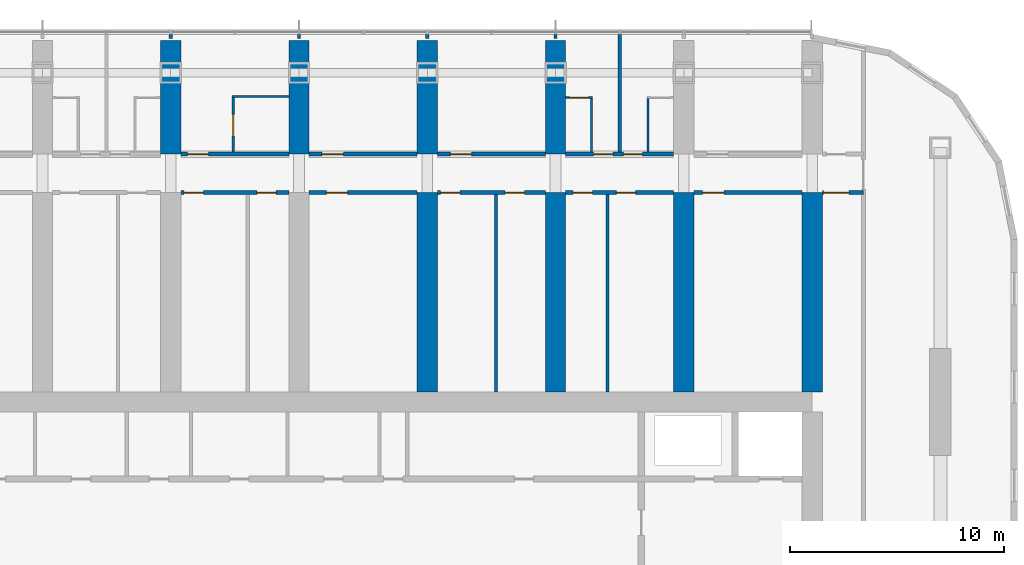
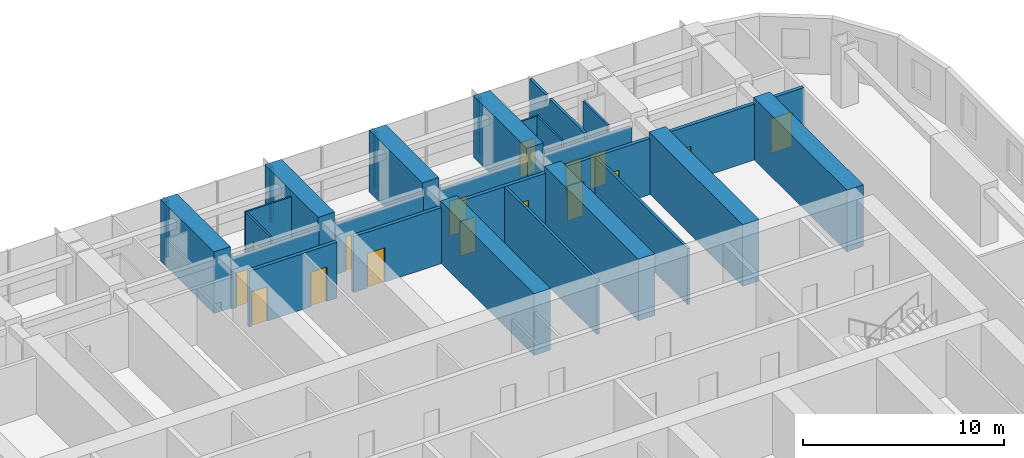
# One storey, part 14 of 20: 30 walls, 16 doors, 16 openings.
"""IFC4 building model written with IfcOpenShell, lengths in metres."""

from ifc_helpers import new_model, si_unit, direction, frame, frame_2d, origin, place, context, subcontext, project, spatial, polyline, rectangle, outline, extrude, material, layer, layer_set, type_object, element, fill, save


model = new_model("IFC4")

# Units and contexts
model_context = context("Model", 3, precision=1e-05, world=origin(), true_north=direction((0.0, 1.0)))
body_context = subcontext(model_context, "Body", "Model", "MODEL_VIEW")
ifc_project = project(units=[si_unit("LENGTHUNIT", "METRE"), si_unit("AREAUNIT", "SQUARE_METRE"), si_unit("VOLUMEUNIT", "CUBIC_METRE"), si_unit("PLANEANGLEUNIT", "RADIAN"), si_unit("MASSUNIT", "GRAM", prefix="KILO")], contexts=[model_context])

# Site, building, storey
site_placement = place(None, origin())
site = spatial("IfcSite", under=ifc_project, at=site_placement, CompositionType="ELEMENT")
building_placement = place(site_placement, origin())
building = spatial("IfcBuilding", under=site, at=building_placement, Name="Orbita Commons", CompositionType="ELEMENT")
storey_placement = place(building_placement, frame((0.0, 0.0, 129.39990234375)))
storey = spatial("IfcBuildingStorey", under=building, at=storey_placement, Name="L32", CompositionType="ELEMENT", Elevation=129.39990234375)

# Wall, opening, door
ifc_material_1 = material(Name="Concrete blockwork", Category="masonry")
ifc_layer_1 = layer(ifc_material_1, 0.199951171875)
ifc_layer_set_1 = layer_set([ifc_layer_1], Name="Concrete blockwork")
wall_type_1 = type_object("IfcWallType", Name="Corridor wall 200 blockwork", PredefinedType="SOLIDWALL", material=ifc_layer_set_1)
wall_1_placement = place(storey_placement, frame((36.47509765625, 49.800048828125, 0.0), z_axis=(0.0, 0.0, 1.0), x_axis=(1.0, 0.0, 0.0)))
wall_1 = element("IfcWall", 1, at=wall_1_placement, inside=storey, type_object=wall_type_1, Name="Corridor wall 200 blockwork L32", PredefinedType="SOLIDWALL", context=body_context, shape_type="SweptSolid", body=[
    extrude(outline(polyline([(0.0, 0.0), (5.0498046875, 0.0), (5.050048828125, 3.0), (0.0, 3.0), (0.0, 0.0)])), frame((0.0, 0.10009765625, 0.0), z_axis=(0.0, -1.0, 0.0), x_axis=(1.0, 0.0, 0.0)), (0.0, 0.0, 1.0), 0.199951171875),
])
opening_1_placement = place(wall_1_placement, frame((0.300048828125, 0.0, 0.0)))
opening_1 = element("IfcOpeningElement", 2, at=opening_1_placement, cuts=wall_1, Name="Opening D06", PredefinedType="OPENING", context=body_context, shape_type="SweptSolid", body=[
    extrude(rectangle(XDim=1.0, YDim=2.10009765625, at=frame_2d((0.5, 1.050048828125))), frame((0.0, 0.10986328125, 0.0), z_axis=(0.0, -1.0, 0.0), x_axis=(1.0, 0.0, 0.0)), (0.0, 0.0, 1.0), 0.219970703125),
])
ifc_material_2 = material(Name="Steel-faced fire door leaf", Category="steel")
door_type_1 = type_object("IfcDoorType", Name="Corridor door 20 min 1000x2100", OperationType="SINGLE_SWING_LEFT", PredefinedType="DOOR", material=ifc_material_2)
door_1_placement = place(opening_1_placement, origin())
door_1 = element("IfcDoor", 3, at=door_1_placement, inside=storey, type_object=door_type_1, Name="Accessible bedroom L32-N08 door", OperationType="SINGLE_SWING_LEFT", OverallHeight=2.10009765625, OverallWidth=1.0, PredefinedType="DOOR", context=body_context, shape_type="SweptSolid", body=[
    extrude(rectangle(XDim=1.0, YDim=2.10009765625, at=frame_2d((0.5, 1.050048828125))), frame((0.0, 0.02490234375, 0.0), z_axis=(0.0, -1.0, 0.0), x_axis=(1.0, 0.0, 0.0)), (0.0, 0.0, 1.0), 0.050048828125),
])
fill(opening_1, door_1)

wall_2_placement = place(storey_placement, frame((42.47509765625, 49.800048828125, 0.0), z_axis=(0.0, 0.0, 1.0), x_axis=(1.0, 0.0, 0.0)))
wall_2 = element("IfcWall", 4, at=wall_2_placement, inside=storey, type_object=wall_type_1, Name="Corridor wall 200 blockwork L32", PredefinedType="SOLIDWALL", context=body_context, shape_type="SweptSolid", body=[
    extrude(outline(polyline([(0.0, 0.0), (5.0498046875, 0.0), (5.050048828125, 3.0), (0.0, 3.0), (0.0, 0.0)])), frame((0.0, 0.10009765625, 0.0), z_axis=(0.0, -1.0, 0.0), x_axis=(1.0, 0.0, 0.0)), (0.0, 0.0, 1.0), 0.199951171875),
])
opening_2_placement = place(wall_2_placement, frame((0.60009765625, 0.0, 0.0)))
opening_2 = element("IfcOpeningElement", 5, at=opening_2_placement, cuts=wall_2, Name="Opening D06", PredefinedType="OPENING", context=body_context, shape_type="SweptSolid", body=[
    extrude(rectangle(XDim=1.0, YDim=2.10009765625, at=frame_2d((0.5, 1.050048828125))), frame((0.0, 0.10986328125, 0.0), z_axis=(0.0, -1.0, 0.0), x_axis=(1.0, 0.0, 0.0)), (0.0, 0.0, 1.0), 0.219970703125),
])
door_2_placement = place(opening_2_placement, origin())
door_2 = element("IfcDoor", 6, at=door_2_placement, inside=storey, type_object=door_type_1, Name="Sea-view lounge L32-N10 door", OperationType="SINGLE_SWING_LEFT", OverallHeight=2.10009765625, OverallWidth=1.0, PredefinedType="DOOR", context=body_context, shape_type="SweptSolid", body=[
    extrude(rectangle(XDim=1.0, YDim=2.10009765625, at=frame_2d((0.5, 1.050048828125))), frame((0.0, 0.02490234375, 0.0), z_axis=(0.0, -1.0, 0.0), x_axis=(1.0, 0.0, 0.0)), (0.0, 0.0, 1.0), 0.050048828125),
])
fill(opening_2, door_2)

wall_3_placement = place(storey_placement, frame((48.47509765625, 49.800048828125, 0.0), z_axis=(0.0, 0.0, 1.0), x_axis=(1.0, 0.0, 0.0)))
wall_3 = element("IfcWall", 7, at=wall_3_placement, inside=storey, type_object=wall_type_1, Name="Corridor wall 200 blockwork L32", PredefinedType="SOLIDWALL", context=body_context, shape_type="SweptSolid", body=[
    extrude(outline(polyline([(0.0, 0.0), (5.0498046875, 0.0), (5.050048828125, 3.0), (0.0, 3.0), (0.0, 0.0)])), frame((0.0, 0.10009765625, 0.0), z_axis=(0.0, -1.0, 0.0), x_axis=(1.0, 0.0, 0.0)), (0.0, 0.0, 1.0), 0.199951171875),
])
opening_3_placement = place(wall_3_placement, frame((0.60009765625, 0.0, 0.0)))
opening_3 = element("IfcOpeningElement", 8, at=opening_3_placement, cuts=wall_3, Name="Opening D06", PredefinedType="OPENING", context=body_context, shape_type="SweptSolid", body=[
    extrude(rectangle(XDim=1.0, YDim=2.10009765625, at=frame_2d((0.5, 1.050048828125))), frame((0.0, 0.10986328125, 0.0), z_axis=(0.0, -1.0, 0.0), x_axis=(1.0, 0.0, 0.0)), (0.0, 0.0, 1.0), 0.219970703125),
])
door_3_placement = place(opening_3_placement, origin())
door_3 = element("IfcDoor", 9, at=door_3_placement, inside=storey, type_object=door_type_1, Name="Sea-view lounge L32-N12 door", OperationType="SINGLE_SWING_LEFT", OverallHeight=2.10009765625, OverallWidth=1.0, PredefinedType="DOOR", context=body_context, shape_type="SweptSolid", body=[
    extrude(rectangle(XDim=1.0, YDim=2.10009765625, at=frame_2d((0.5, 1.050048828125))), frame((0.0, 0.02490234375, 0.0), z_axis=(0.0, -1.0, 0.0), x_axis=(1.0, 0.0, 0.0)), (0.0, 0.0, 1.0), 0.050048828125),
])
fill(opening_3, door_3)

# Wall, openings, doors
wall_4_placement = place(storey_placement, frame((54.47509765625, 49.800048828125, 0.0), z_axis=(0.0, 0.0, 1.0), x_axis=(1.0, 0.0, 0.0)))
wall_4 = element("IfcWall", 10, at=wall_4_placement, inside=storey, type_object=wall_type_1, Name="Corridor wall 200 blockwork L32", PredefinedType="SOLIDWALL", context=body_context, shape_type="SweptSolid", body=[
    extrude(outline(polyline([(0.0, 0.0), (5.0498046875, 0.0), (5.050048828125, 3.0), (0.0, 3.0), (0.0, 0.0)])), frame((0.0, 0.10009765625, 0.0), z_axis=(0.0, -1.0, 0.0), x_axis=(1.0, 0.0, 0.0)), (0.0, 0.0, 1.0), 0.199951171875),
])
opening_4_placement = place(wall_4_placement, frame((1.300048828125, 0.0, 0.0)))
opening_4 = element("IfcOpeningElement", 11, at=opening_4_placement, cuts=wall_4, Name="Opening D11", PredefinedType="OPENING", context=body_context, shape_type="SweptSolid", body=[
    extrude(rectangle(XDim=0.89990234375, YDim=2.10009765625, at=frame_2d((0.449951171875, 1.050048828125))), frame((0.0, 0.10986328125, 0.0), z_axis=(0.0, -1.0, 0.0), x_axis=(1.0, 0.0, 0.0)), (0.0, 0.0, 1.0), 0.219970703125),
])
opening_5_placement = place(wall_4_placement, frame((2.699951171875, 0.0, 0.0)))
opening_5 = element("IfcOpeningElement", 12, at=opening_5_placement, cuts=wall_4, Name="Opening D11", PredefinedType="OPENING", context=body_context, shape_type="SweptSolid", body=[
    extrude(rectangle(XDim=0.89990234375, YDim=2.10009765625, at=frame_2d((0.449951171875, 1.050048828125))), frame((0.0, 0.10986328125, 0.0), z_axis=(0.0, -1.0, 0.0), x_axis=(1.0, 0.0, 0.0)), (0.0, 0.0, 1.0), 0.219970703125),
])
ifc_material_3 = material(Name="Steel-faced fire door leaf", Category="steel")
door_type_2 = type_object("IfcDoorType", Name="Corridor door 20 min 900x2100", OperationType="SINGLE_SWING_LEFT", PredefinedType="DOOR", material=ifc_material_3)
door_4_placement = place(opening_4_placement, origin())
door_4 = element("IfcDoor", 13, at=door_4_placement, inside=storey, type_object=door_type_2, Name="Cluster bedroom L32-N14 door", OperationType="SINGLE_SWING_LEFT", OverallHeight=2.10009765625, OverallWidth=0.89990234375, PredefinedType="DOOR", context=body_context, shape_type="SweptSolid", body=[
    extrude(rectangle(XDim=0.89990234375, YDim=2.10009765625, at=frame_2d((0.449951171875, 1.050048828125))), frame((0.0, 0.02490234375, 0.0), z_axis=(0.0, -1.0, 0.0), x_axis=(1.0, 0.0, 0.0)), (0.0, 0.0, 1.0), 0.050048828125),
])
fill(opening_4, door_4)
door_5_placement = place(opening_5_placement, origin())
door_5 = element("IfcDoor", 14, at=door_5_placement, inside=storey, type_object=door_type_2, Name="Cluster bedroom L32-N15 door", OperationType="SINGLE_SWING_LEFT", OverallHeight=2.10009765625, OverallWidth=0.89990234375, PredefinedType="DOOR", context=body_context, shape_type="SweptSolid", body=[
    extrude(rectangle(XDim=0.89990234375, YDim=2.10009765625, at=frame_2d((0.449951171875, 1.050048828125))), frame((0.0, 0.02490234375, 0.0), z_axis=(0.0, -1.0, 0.0), x_axis=(1.0, 0.0, 0.0)), (0.0, 0.0, 1.0), 0.050048828125),
])
fill(opening_5, door_5)

ifc_material_4 = material(Name="Hollow concrete block 200", Category="concrete")
ifc_layer_2 = layer(ifc_material_4, 0.199951171875)
ifc_layer_set_2 = layer_set([ifc_layer_2], Name="Hollow concrete block 200")
wall_type_2 = type_object("IfcWallType", Name="Corridor wall 200 hollow concrete block", PredefinedType="SOLIDWALL", material=ifc_layer_set_2)
wall_5_placement = place(storey_placement, frame((36.47509765625, 48.0, 0.0), z_axis=(0.0, 0.0, 1.0), x_axis=(1.0, 0.0, 0.0)))
wall_5 = element("IfcWall", 15, at=wall_5_placement, inside=storey, type_object=wall_type_2, Name="Corridor wall 200 hollow concrete block L32", PredefinedType="SOLIDWALL", context=body_context, shape_type="SweptSolid", body=[
    extrude(rectangle(XDim=5.0498046875, YDim=0.199951171875, at=frame_2d((2.52490234375, 0.0))), origin(), (0.0, 0.0, 1.0), 3.400146484375),
])
opening_6_placement = place(wall_5_placement, frame((0.14990234375, 0.0, 0.0)))
opening_6 = element("IfcOpeningElement", 16, at=opening_6_placement, cuts=wall_5, Name="Opening D11", PredefinedType="OPENING", context=body_context, shape_type="SweptSolid", body=[
    extrude(rectangle(XDim=0.89990234375, YDim=2.10009765625, at=frame_2d((0.449951171875, 1.050048828125))), frame((0.0, 0.10986328125, 0.0), z_axis=(0.0, -1.0, 0.0), x_axis=(1.0, 0.0, 0.0)), (0.0, 0.0, 1.0), 0.219970703125),
])
opening_7_placement = place(wall_5_placement, frame((3.554931640625, 0.0, 0.0)))
opening_7 = element("IfcOpeningElement", 17, at=opening_7_placement, cuts=wall_5, Name="Opening D11", PredefinedType="OPENING", context=body_context, shape_type="SweptSolid", body=[
    extrude(rectangle(XDim=0.89990234375, YDim=2.10009765625, at=frame_2d((0.449951171875, 1.050048828125))), frame((0.0, 0.10986328125, 0.0), z_axis=(0.0, -1.0, 0.0), x_axis=(1.0, 0.0, 0.0)), (0.0, 0.0, 1.0), 0.219970703125),
])
door_6_placement = place(opening_6_placement, origin())
door_6 = element("IfcDoor", 18, at=door_6_placement, inside=storey, type_object=door_type_2, Name="Linen store L32-BDN36 door", OperationType="SINGLE_SWING_LEFT", OverallHeight=2.10009765625, OverallWidth=0.89990234375, PredefinedType="DOOR", context=body_context, shape_type="SweptSolid", body=[
    extrude(rectangle(XDim=0.89990234375, YDim=2.10009765625, at=frame_2d((0.449951171875, 1.050048828125))), frame((0.0, 0.02490234375, 0.0), z_axis=(0.0, -1.0, 0.0), x_axis=(1.0, 0.0, 0.0)), (0.0, 0.0, 1.0), 0.050048828125),
])
fill(opening_6, door_6)
door_7_placement = place(opening_7_placement, origin())
door_7 = element("IfcDoor", 19, at=door_7_placement, inside=storey, type_object=door_type_2, Name="Water heater cupboard L32-BDN36n door", OperationType="SINGLE_SWING_LEFT", OverallHeight=2.10009765625, OverallWidth=0.89990234375, PredefinedType="DOOR", context=body_context, shape_type="SweptSolid", body=[
    extrude(rectangle(XDim=0.89990234375, YDim=2.10009765625, at=frame_2d((0.449951171875, 1.050048828125))), frame((0.0, 0.02490234375, 0.0), z_axis=(0.0, -1.0, 0.0), x_axis=(1.0, 0.0, 0.0)), (0.0, 0.0, 1.0), 0.050048828125),
])
fill(opening_7, door_7)

# Wall, opening, door
wall_6_placement = place(storey_placement, frame((42.47509765625, 48.0, 0.0), z_axis=(0.0, 0.0, 1.0), x_axis=(1.0, 0.0, 0.0)))
wall_6 = element("IfcWall", 20, at=wall_6_placement, inside=storey, type_object=wall_type_2, Name="Corridor wall 200 hollow concrete block L32", PredefinedType="SOLIDWALL", context=body_context, shape_type="SweptSolid", body=[
    extrude(rectangle(XDim=5.0498046875, YDim=0.199951171875, at=frame_2d((2.52490234375, 0.0))), origin(), (0.0, 0.0, 1.0), 3.400146484375),
])
opening_8_placement = place(wall_6_placement, frame((0.800048828125, 0.0, 0.0)))
opening_8 = element("IfcOpeningElement", 21, at=opening_8_placement, cuts=wall_6, Name="Opening D06", PredefinedType="OPENING", context=body_context, shape_type="SweptSolid", body=[
    extrude(rectangle(XDim=1.0, YDim=2.10009765625, at=frame_2d((0.5, 1.050048828125))), frame((0.0, 0.10986328125, 0.0), z_axis=(0.0, -1.0, 0.0), x_axis=(1.0, 0.0, 0.0)), (0.0, 0.0, 1.0), 0.219970703125),
])
door_8_placement = place(opening_8_placement, origin())
door_8 = element("IfcDoor", 22, at=door_8_placement, inside=storey, type_object=door_type_1, Name="Refuse and recycling room L32-BDN42 door", OperationType="SINGLE_SWING_LEFT", OverallHeight=2.10009765625, OverallWidth=1.0, PredefinedType="DOOR", context=body_context, shape_type="SweptSolid", body=[
    extrude(rectangle(XDim=1.0, YDim=2.10009765625, at=frame_2d((0.5, 1.050048828125))), frame((0.0, 0.02490234375, 0.0), z_axis=(0.0, -1.0, 0.0), x_axis=(1.0, 0.0, 0.0)), (0.0, 0.0, 1.0), 0.050048828125),
])
fill(opening_8, door_8)

# Wall, openings, doors
wall_7_placement = place(storey_placement, frame((48.47509765625, 48.0, 0.0), z_axis=(0.0, 0.0, 1.0), x_axis=(1.0, 0.0, 0.0)))
wall_7 = element("IfcWall", 23, at=wall_7_placement, inside=storey, type_object=wall_type_2, Name="Corridor wall 200 hollow concrete block L32", PredefinedType="SOLIDWALL", context=body_context, shape_type="SweptSolid", body=[
    extrude(rectangle(XDim=5.0498046875, YDim=0.199951171875, at=frame_2d((2.52490234375, 0.0))), origin(), (0.0, 0.0, 1.0), 3.400146484375),
])
opening_9_placement = place(wall_7_placement, frame((0.14990234375, 0.0, 0.0)))
opening_9 = element("IfcOpeningElement", 24, at=opening_9_placement, cuts=wall_7, Name="Opening D11", PredefinedType="OPENING", context=body_context, shape_type="SweptSolid", body=[
    extrude(rectangle(XDim=0.89990234375, YDim=2.10009765625, at=frame_2d((0.449951171875, 1.050048828125))), frame((0.0, 0.10986328125, 0.0), z_axis=(0.0, -1.0, 0.0), x_axis=(1.0, 0.0, 0.0)), (0.0, 0.0, 1.0), 0.219970703125),
])
opening_10_placement = place(wall_7_placement, frame((3.1650390625, 0.0, 0.0)))
opening_10 = element("IfcOpeningElement", 25, at=opening_10_placement, cuts=wall_7, Name="Opening D11", PredefinedType="OPENING", context=body_context, shape_type="SweptSolid", body=[
    extrude(rectangle(XDim=0.89990234375, YDim=2.10009765625, at=frame_2d((0.449951171875, 1.050048828125))), frame((0.0, 0.10986328125, 0.0), z_axis=(0.0, -1.0, 0.0), x_axis=(1.0, 0.0, 0.0)), (0.0, 0.0, 1.0), 0.219970703125),
])
door_9_placement = place(opening_9_placement, origin())
door_9 = element("IfcDoor", 26, at=door_9_placement, inside=storey, type_object=door_type_2, Name="Bulk and luggage store L32-BDN48 door", OperationType="SINGLE_SWING_LEFT", OverallHeight=2.10009765625, OverallWidth=0.89990234375, PredefinedType="DOOR", context=body_context, shape_type="SweptSolid", body=[
    extrude(rectangle(XDim=0.89990234375, YDim=2.10009765625, at=frame_2d((0.449951171875, 1.050048828125))), frame((0.0, 0.02490234375, 0.0), z_axis=(0.0, -1.0, 0.0), x_axis=(1.0, 0.0, 0.0)), (0.0, 0.0, 1.0), 0.050048828125),
])
fill(opening_9, door_9)
door_10_placement = place(opening_10_placement, origin())
door_10 = element("IfcDoor", 27, at=door_10_placement, inside=storey, type_object=door_type_2, Name="Battery and UPS room L32-BDN48n door", OperationType="SINGLE_SWING_LEFT", OverallHeight=2.10009765625, OverallWidth=0.89990234375, PredefinedType="DOOR", context=body_context, shape_type="SweptSolid", body=[
    extrude(rectangle(XDim=0.89990234375, YDim=2.10009765625, at=frame_2d((0.449951171875, 1.050048828125))), frame((0.0, 0.02490234375, 0.0), z_axis=(0.0, -1.0, 0.0), x_axis=(1.0, 0.0, 0.0)), (0.0, 0.0, 1.0), 0.050048828125),
])
fill(opening_10, door_10)

wall_8_placement = place(storey_placement, frame((54.47509765625, 48.0, 0.0), z_axis=(0.0, 0.0, 1.0), x_axis=(1.0, 0.0, 0.0)))
wall_8 = element("IfcWall", 28, at=wall_8_placement, inside=storey, type_object=wall_type_2, Name="Corridor wall 200 hollow concrete block L32", PredefinedType="SOLIDWALL", context=body_context, shape_type="SweptSolid", body=[
    extrude(rectangle(XDim=5.0498046875, YDim=0.199951171875, at=frame_2d((2.52490234375, 0.0))), origin(), (0.0, 0.0, 1.0), 3.400146484375),
])
opening_11_placement = place(wall_8_placement, frame((0.35009765625, 0.0, 0.0)))
opening_11 = element("IfcOpeningElement", 29, at=opening_11_placement, cuts=wall_8, Name="Opening D11", PredefinedType="OPENING", context=body_context, shape_type="SweptSolid", body=[
    extrude(rectangle(XDim=0.89990234375, YDim=2.10009765625, at=frame_2d((0.449951171875, 1.050048828125))), frame((0.0, 0.10986328125, 0.0), z_axis=(0.0, -1.0, 0.0), x_axis=(1.0, 0.0, 0.0)), (0.0, 0.0, 1.0), 0.219970703125),
])
opening_12_placement = place(wall_8_placement, frame((2.375, 0.0, 0.0)))
opening_12 = element("IfcOpeningElement", 30, at=opening_12_placement, cuts=wall_8, Name="Opening D11", PredefinedType="OPENING", context=body_context, shape_type="SweptSolid", body=[
    extrude(rectangle(XDim=0.89990234375, YDim=2.10009765625, at=frame_2d((0.449951171875, 1.050048828125))), frame((0.0, 0.10986328125, 0.0), z_axis=(0.0, -1.0, 0.0), x_axis=(1.0, 0.0, 0.0)), (0.0, 0.0, 1.0), 0.219970703125),
])
door_11_placement = place(opening_11_placement, origin())
door_11 = element("IfcDoor", 31, at=door_11_placement, inside=storey, type_object=door_type_2, Name="Sprinkler valve room L32-BDN54n door", OperationType="SINGLE_SWING_LEFT", OverallHeight=2.10009765625, OverallWidth=0.89990234375, PredefinedType="DOOR", context=body_context, shape_type="SweptSolid", body=[
    extrude(rectangle(XDim=0.89990234375, YDim=2.10009765625, at=frame_2d((0.449951171875, 1.050048828125))), frame((0.0, 0.02490234375, 0.0), z_axis=(0.0, -1.0, 0.0), x_axis=(1.0, 0.0, 0.0)), (0.0, 0.0, 1.0), 0.050048828125),
])
fill(opening_11, door_11)
door_12_placement = place(opening_12_placement, origin())
door_12 = element("IfcDoor", 32, at=door_12_placement, inside=storey, type_object=door_type_2, Name="Cleaners store L32-BDN54 door", OperationType="SINGLE_SWING_LEFT", OverallHeight=2.10009765625, OverallWidth=0.89990234375, PredefinedType="DOOR", context=body_context, shape_type="SweptSolid", body=[
    extrude(rectangle(XDim=0.89990234375, YDim=2.10009765625, at=frame_2d((0.449951171875, 1.050048828125))), frame((0.0, 0.02490234375, 0.0), z_axis=(0.0, -1.0, 0.0), x_axis=(1.0, 0.0, 0.0)), (0.0, 0.0, 1.0), 0.050048828125),
])
fill(opening_12, door_12)

# Wall, opening, door
wall_9_placement = place(storey_placement, frame((60.47509765625, 48.0, 0.0), z_axis=(0.0, 0.0, 1.0), x_axis=(1.0, 0.0, 0.0)))
wall_9 = element("IfcWall", 33, at=wall_9_placement, inside=storey, type_object=wall_type_2, Name="Corridor wall 200 hollow concrete block L32", PredefinedType="SOLIDWALL", context=body_context, shape_type="SweptSolid", body=[
    extrude(rectangle(XDim=5.0498046875, YDim=0.199951171875, at=frame_2d((2.52490234375, 0.0))), origin(), (0.0, 0.0, 1.0), 3.400146484375),
])
opening_13_placement = place(wall_9_placement, frame((0.39990234375, 0.0, 0.0)))
opening_13 = element("IfcOpeningElement", 34, at=opening_13_placement, cuts=wall_9, Name="Opening D06", PredefinedType="OPENING", context=body_context, shape_type="SweptSolid", body=[
    extrude(rectangle(XDim=1.0, YDim=2.10009765625, at=frame_2d((0.5, 1.050048828125))), frame((0.0, 0.10986328125, 0.0), z_axis=(0.0, -1.0, 0.0), x_axis=(1.0, 0.0, 0.0)), (0.0, 0.0, 1.0), 0.219970703125),
])
door_13_placement = place(opening_13_placement, origin())
door_13 = element("IfcDoor", 35, at=door_13_placement, inside=storey, type_object=door_type_1, Name="Store L32-BDN60 door", OperationType="SINGLE_SWING_LEFT", OverallHeight=2.10009765625, OverallWidth=1.0, PredefinedType="DOOR", context=body_context, shape_type="SweptSolid", body=[
    extrude(rectangle(XDim=1.0, YDim=2.10009765625, at=frame_2d((0.5, 1.050048828125))), frame((0.0, 0.02490234375, 0.0), z_axis=(0.0, -1.0, 0.0), x_axis=(1.0, 0.0, 0.0)), (0.0, 0.0, 1.0), 0.050048828125),
])
fill(opening_13, door_13)

wall_10_placement = place(storey_placement, frame((66.47509765625, 48.0, 0.0), z_axis=(0.0, 0.0, 1.0), x_axis=(1.0, 0.0, 0.0)))
wall_10 = element("IfcWall", 36, at=wall_10_placement, inside=storey, type_object=wall_type_2, Name="Corridor wall 200 hollow concrete block L32", PredefinedType="SOLIDWALL", context=body_context, shape_type="SweptSolid", body=[
    extrude(rectangle(XDim=1.9248046875, YDim=0.199951171875, at=frame_2d((0.96240234375, 0.0))), origin(), (0.0, 0.0, 1.0), 3.400146484375),
])
opening_14_placement = place(wall_10_placement, frame((0.050048828125, 0.0, 0.0)))
opening_14 = element("IfcOpeningElement", 37, at=opening_14_placement, cuts=wall_10, Name="Opening D12", PredefinedType="OPENING", context=body_context, shape_type="SweptSolid", body=[
    extrude(rectangle(XDim=1.199951171875, YDim=2.10009765625, at=frame_2d((0.60009765625, 1.050048828125))), frame((0.0, 0.10986328125, 0.0), z_axis=(0.0, -1.0, 0.0), x_axis=(1.0, 0.0, 0.0)), (0.0, 0.0, 1.0), 0.219970703125),
])
ifc_material_5 = material(Name="Steel-faced fire door leaf", Category="steel")
door_type_3 = type_object("IfcDoorType", Name="Double corridor door 20 min 1200x2100", OperationType="DOUBLE_DOOR_SINGLE_SWING", PredefinedType="DOOR", material=ifc_material_5)
door_14_placement = place(opening_14_placement, origin())
door_14 = element("IfcDoor", 38, at=door_14_placement, inside=storey, type_object=door_type_3, Name="Cross corridor doors", OperationType="DOUBLE_DOOR_SINGLE_SWING", OverallHeight=2.10009765625, OverallWidth=1.199951171875, PredefinedType="DOOR", context=body_context, shape_type="SweptSolid", body=[
    extrude(rectangle(XDim=1.199951171875, YDim=2.10009765625, at=frame_2d((0.60009765625, 1.050048828125))), frame((0.0, 0.02490234375, 0.0), z_axis=(0.0, -1.0, 0.0), x_axis=(1.0, 0.0, 0.0)), (0.0, 0.0, 1.0), 0.050048828125),
])
fill(opening_14, door_14)

# Walls
ifc_material_6 = material(Name="Concrete C50/60", Category="concrete")
ifc_layer_3 = layer(ifc_material_6, 0.949951171875)
ifc_layer_set_3 = layer_set([ifc_layer_3], Name="Concrete C50/60")
wall_type_3 = type_object("IfcWallType", Name="Cross wall 950 C50/60", PredefinedType="SHEAR", material=ifc_layer_set_3)
for number, where, z_axis, x_axis, name in (
    (39, (36.0, 49.800048828125, 0.0), (0.0, 0.0, 1.0), (0.0, 1.0, 0.0), "Cross wall 7 north outer L32"),
    (40, (42.0, 49.800048828125, 0.0), (0.0, 0.0, 1.0), (0.0, 1.0, 0.0), "Cross wall 8 north outer L32"),
    (41, (48.0, 49.800048828125, 0.0), (0.0, 0.0, 1.0), (0.0, 1.0, 0.0), "Cross wall 9 north outer L32"),
):
    element("IfcWall", number, at=place(storey_placement, frame(where, z_axis=z_axis, x_axis=x_axis)), inside=storey, type_object=wall_type_3, Name=name, PredefinedType="SHEAR", context=body_context, shape_type="SweptSolid", body=[
        extrude(rectangle(XDim=5.300048828125, YDim=0.949951171875, at=frame_2d((2.64990234375, 0.0))), origin(), (0.0, 0.0, 1.0), 3.75),
    ])
wall_11_placement = place(storey_placement, frame((48.0, 38.675048828125, 0.0), z_axis=(0.0, 0.0, 1.0), x_axis=(0.0, 1.0, 0.0)))
element("IfcWall", 42, at=wall_11_placement, inside=storey, type_object=wall_type_3, Name="Cross wall 9 north inner L32", PredefinedType="SHEAR", context=body_context, shape_type="SweptSolid", body=[
    extrude(rectangle(XDim=9.324951171875, YDim=0.949951171875, at=frame_2d((4.66259765625, 0.0))), origin(), (0.0, 0.0, 1.0), 3.75),
])
wall_12_placement = place(storey_placement, frame((54.0, 49.800048828125, 0.0), z_axis=(0.0, 0.0, 1.0), x_axis=(0.0, 1.0, 0.0)))
element("IfcWall", 43, at=wall_12_placement, inside=storey, type_object=wall_type_3, Name="Cross wall 10 north outer L32", PredefinedType="SHEAR", context=body_context, shape_type="SweptSolid", body=[
    extrude(rectangle(XDim=5.300048828125, YDim=0.949951171875, at=frame_2d((2.64990234375, 0.0))), origin(), (0.0, 0.0, 1.0), 3.75),
])
for number, where, z_axis, x_axis, name in (
    (44, (54.0, 38.675048828125, 0.0), (0.0, 0.0, 1.0), (0.0, 1.0, 0.0), "Cross wall 10 north inner L32"),
    (45, (60.0, 38.675048828125, 0.0), (0.0, 0.0, 1.0), (0.0, 1.0, 0.0), "Cross wall 11 north inner L32"),
    (46, (66.0, 38.675048828125, 0.0), (0.0, 0.0, 1.0), (0.0, 1.0, 0.0), "Cross wall 12 north inner L32"),
):
    element("IfcWall", number, at=place(storey_placement, frame(where, z_axis=z_axis, x_axis=x_axis)), inside=storey, type_object=wall_type_3, Name=name, PredefinedType="SHEAR", context=body_context, shape_type="SweptSolid", body=[
        extrude(rectangle(XDim=9.324951171875, YDim=0.949951171875, at=frame_2d((4.66259765625, 0.0))), origin(), (0.0, 0.0, 1.0), 3.75),
    ])
ifc_material_7 = material(Name="Moisture-resistant plasterboard on steel studs", Category="steel")
ifc_layer_4 = layer(ifc_material_7, 0.10009765625)
ifc_layer_set_4 = layer_set([ifc_layer_4], Name="Moisture-resistant plasterboard on steel studs")
wall_type_4 = type_object("IfcWallType", Name="En-suite partition 100", PredefinedType="PARTITIONING", material=ifc_layer_set_4)
wall_13_placement = place(storey_placement, frame((38.875, 52.5, 0.0), z_axis=(0.0, 0.0, 1.0), x_axis=(1.0, 0.0, 0.0)))
element("IfcWall", 47, at=wall_13_placement, inside=storey, type_object=wall_type_4, Name="En-suite partition 100 L32", PredefinedType="PARTITIONING", context=body_context, shape_type="SweptSolid", body=[
    extrude(rectangle(XDim=2.64990234375, YDim=0.10009765625, at=frame_2d((1.324951171875, 0.0))), origin(), (0.0, 0.0, 1.0), 3.400146484375),
])

# Wall, opening, door
wall_14_placement = place(storey_placement, frame((38.925048828125, 52.449951171875, 0.0), z_axis=(0.0, 0.0, 1.0), x_axis=(0.0, -1.0, 0.0)))
wall_14 = element("IfcWall", 48, at=wall_14_placement, inside=storey, type_object=wall_type_4, Name="En-suite partition 100 L32", PredefinedType="PARTITIONING", context=body_context, shape_type="SweptSolid", body=[
    extrude(outline(polyline([(0.0, 0.0), (2.550048828125, 0.0), (2.550048828125, 3.0), (2.501953125, 3.0), (2.5, 3.400146484375), (0.0, 3.400146484375), (0.0, 0.0)])), frame((0.0, 0.050048828125, 0.0), z_axis=(0.0, -1.0, 0.0), x_axis=(1.0, 0.0, 0.0)), (0.0, 0.0, 1.0), 0.10009765625),
])
opening_15_placement = place(wall_14_placement, frame((0.800048828125, 0.0, 0.0)))
opening_15 = element("IfcOpeningElement", 49, at=opening_15_placement, cuts=wall_14, Name="Opening D13", PredefinedType="OPENING", context=body_context, shape_type="SweptSolid", body=[
    extrude(rectangle(XDim=1.0, YDim=2.10009765625, at=frame_2d((0.5, 1.050048828125))), frame((0.0, 0.06005859375, 0.0), z_axis=(0.0, -1.0, 0.0), x_axis=(1.0, 0.0, 0.0)), (0.0, 0.0, 1.0), 0.1201171875),
])
ifc_material_8 = material(Name="Laminated timber door leaf", Category="wood")
door_type_4 = type_object("IfcDoorType", Name="En-suite door 1000x2100", OperationType="SINGLE_SWING_RIGHT", PredefinedType="DOOR", material=ifc_material_8)
door_15_placement = place(opening_15_placement, origin())
door_15 = element("IfcDoor", 50, at=door_15_placement, inside=storey, type_object=door_type_4, Name="Accessible shower room L32-N08 door", OperationType="SINGLE_SWING_RIGHT", OverallHeight=2.10009765625, OverallWidth=1.0, PredefinedType="DOOR", context=body_context, shape_type="SweptSolid", body=[
    extrude(rectangle(XDim=1.0, YDim=2.10009765625, at=frame_2d((0.5, 1.050048828125))), frame((0.0, 0.02490234375, 0.0), z_axis=(0.0, -1.0, 0.0), x_axis=(1.0, 0.0, 0.0)), (0.0, 0.0, 1.0), 0.050048828125),
])
fill(opening_15, door_15)

wall_15_placement = place(storey_placement, frame((54.47509765625, 52.441650390625, 0.0), z_axis=(0.0, 0.0, 1.0), x_axis=(1.0, 0.0, 0.0)))
wall_15 = element("IfcWall", 51, at=wall_15_placement, inside=storey, type_object=wall_type_4, Name="En-suite partition 100 L32", PredefinedType="PARTITIONING", context=body_context, shape_type="SweptSolid", body=[
    extrude(rectangle(XDim=1.25, YDim=0.10009765625, at=frame_2d((0.625, 0.0))), origin(), (0.0, 0.0, 1.0), 3.400146484375),
])
opening_16_placement = place(wall_15_placement, frame((0.175048828125, 0.0, 0.0)))
opening_16 = element("IfcOpeningElement", 52, at=opening_16_placement, cuts=wall_15, Name="Opening D09", PredefinedType="OPENING", context=body_context, shape_type="SweptSolid", body=[
    extrude(rectangle(XDim=0.89990234375, YDim=2.10009765625, at=frame_2d((0.449951171875, 1.050048828125))), frame((0.0, 0.06005859375, 0.0), z_axis=(0.0, -1.0, 0.0), x_axis=(1.0, 0.0, 0.0)), (0.0, 0.0, 1.0), 0.1201171875),
])
ifc_material_9 = material(Name="Laminated timber door leaf", Category="wood")
door_type_5 = type_object("IfcDoorType", Name="En-suite door 900x2100", OperationType="SINGLE_SWING_RIGHT", PredefinedType="DOOR", material=ifc_material_9)
door_16_placement = place(opening_16_placement, origin())
door_16 = element("IfcDoor", 53, at=door_16_placement, inside=storey, type_object=door_type_5, Name="En-suite L32-N14 door", OperationType="SINGLE_SWING_RIGHT", OverallHeight=2.10009765625, OverallWidth=0.89990234375, PredefinedType="DOOR", context=body_context, shape_type="SweptSolid", body=[
    extrude(rectangle(XDim=0.89990234375, YDim=2.10009765625, at=frame_2d((0.449951171875, 1.050048828125))), frame((0.0, 0.02490234375, 0.0), z_axis=(0.0, -1.0, 0.0), x_axis=(1.0, 0.0, 0.0)), (0.0, 0.0, 1.0), 0.050048828125),
])
fill(opening_16, door_16)

# Walls
for number, where, z_axis, x_axis, name in (
    (54, (55.675048828125, 52.3916015625, 0.0), (0.0, 0.0, 1.0), (0.0, -1.0, 0.0), "En-suite partition 100 L32"),
    (55, (58.324951171875, 52.3916015625, 0.0), (0.0, 0.0, 1.0), (0.0, -1.0, 0.0), "En-suite partition 100 L32"),
):
    element("IfcWall", number, at=place(storey_placement, frame(where, z_axis=z_axis, x_axis=x_axis)), inside=storey, type_object=wall_type_4, Name=name, PredefinedType="PARTITIONING", context=body_context, shape_type="SweptSolid", body=[
        extrude(outline(polyline([(0.0, 0.0), (2.49169921875, 0.0), (2.49169921875, 3.0), (2.443603515625, 3.0), (2.441650390625, 3.400146484375), (0.0, 3.400146484375), (0.0, 0.0)])), frame((0.0, 0.050048828125, 0.0), z_axis=(0.0, -1.0, 0.0), x_axis=(1.0, 0.0, 0.0)), (0.0, 0.0, 1.0), 0.10009765625),
    ])
ifc_material_10 = material(Name="Gypsum plasterboard on steel studs", Category="steel")
ifc_layer_5 = layer(ifc_material_10, 0.14990234375)
ifc_layer_set_5 = layer_set([ifc_layer_5], Name="Gypsum plasterboard on steel studs")
wall_type_5 = type_object("IfcWallType", Name="Partition 150 plasterboard", PredefinedType="PARTITIONING", material=ifc_layer_set_5)
for number, where, z_axis, x_axis, name in (
    (56, (51.215087890625, 38.675048828125, 0.0), (0.0, 0.0, 1.0), (0.0, 1.0, 0.0), "Partition 150 plasterboard L32"),
    (57, (56.425048828125, 38.675048828125, 0.0), (0.0, 0.0, 1.0), (0.0, 1.0, 0.0), "Partition 150 plasterboard L32"),
):
    element("IfcWall", number, at=place(storey_placement, frame(where, z_axis=z_axis, x_axis=x_axis)), inside=storey, type_object=wall_type_5, Name=name, PredefinedType="PARTITIONING", context=body_context, shape_type="SweptSolid", body=[
        extrude(rectangle(XDim=9.224853515625, YDim=0.14990234375, at=frame_2d((4.6123046875, 0.0))), origin(), (0.0, 0.0, 1.0), 3.400146484375),
    ])
for number, where, z_axis, x_axis, name in (
    (58, (36.0, 55.199951171875, 0.0), (0.0, 0.0, 1.0), (0.0, 1.0, 0.0), "Partition 150 plasterboard L32"),
    (59, (42.0, 55.199951171875, 0.0), (0.0, 0.0, 1.0), (0.0, 1.0, 0.0), "Partition 150 plasterboard L32"),
    (60, (48.0, 55.199951171875, 0.0), (0.0, 0.0, 1.0), (0.0, 1.0, 0.0), "Partition 150 plasterboard L32"),
    (61, (54.0, 55.199951171875, 0.0), (0.0, 0.0, 1.0), (0.0, 1.0, 0.0), "Partition 150 plasterboard L32"),
):
    element("IfcWall", number, at=place(storey_placement, frame(where, z_axis=z_axis, x_axis=x_axis)), inside=storey, type_object=wall_type_5, Name=name, PredefinedType="PARTITIONING", context=body_context, shape_type="SweptSolid", body=[
        extrude(rectangle(XDim=0.18994140625, YDim=0.14990234375, at=frame_2d((0.094970703125, 0.0))), origin(), (0.0, 0.0, 1.0), 3.400146484375),
    ])
ifc_material_11 = material(Name="Gypsum plasterboard on steel studs", Category="steel")
ifc_layer_6 = layer(ifc_material_11, 0.14990234375)
ifc_layer_set_6 = layer_set([ifc_layer_6], Name="Gypsum plasterboard on steel studs")
wall_type_6 = type_object("IfcWallType", Name="Party wall 150 plasterboard", PredefinedType="PARTITIONING", material=ifc_layer_set_6)
wall_16_placement = place(storey_placement, frame((57.0, 55.389892578125, 0.0), z_axis=(0.0, 0.0, 1.0), x_axis=(0.0, -1.0, 0.0)))
element("IfcWall", 62, at=wall_16_placement, inside=storey, type_object=wall_type_6, Name="Party wall 150 plasterboard L32", PredefinedType="PARTITIONING", context=body_context, shape_type="SweptSolid", body=[
    extrude(outline(polyline([(0.0, 0.0), (5.489990234375, 0.0), (5.489990234375, 3.0), (5.44189453125, 3.0), (5.43994140625, 3.400146484375), (1.991943359375, 3.400146484375), (1.989990234375, 3.0), (1.592041015625, 3.0), (1.590087890625, 3.400146484375), (0.0, 3.400146484375), (0.0, 0.0)])), frame((0.0, 0.074951171875, 0.0), z_axis=(0.0, -1.0, 0.0), x_axis=(1.0, 0.0, 0.0)), (0.0, 0.0, 1.0), 0.14990234375),
])

save(model, "model.ifc")
